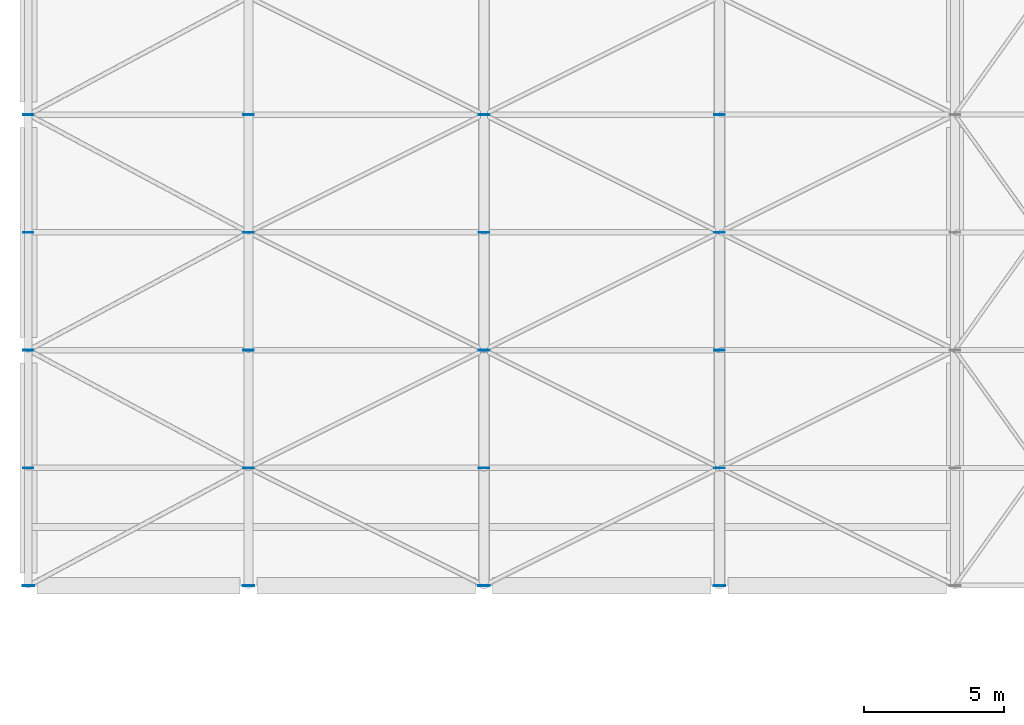
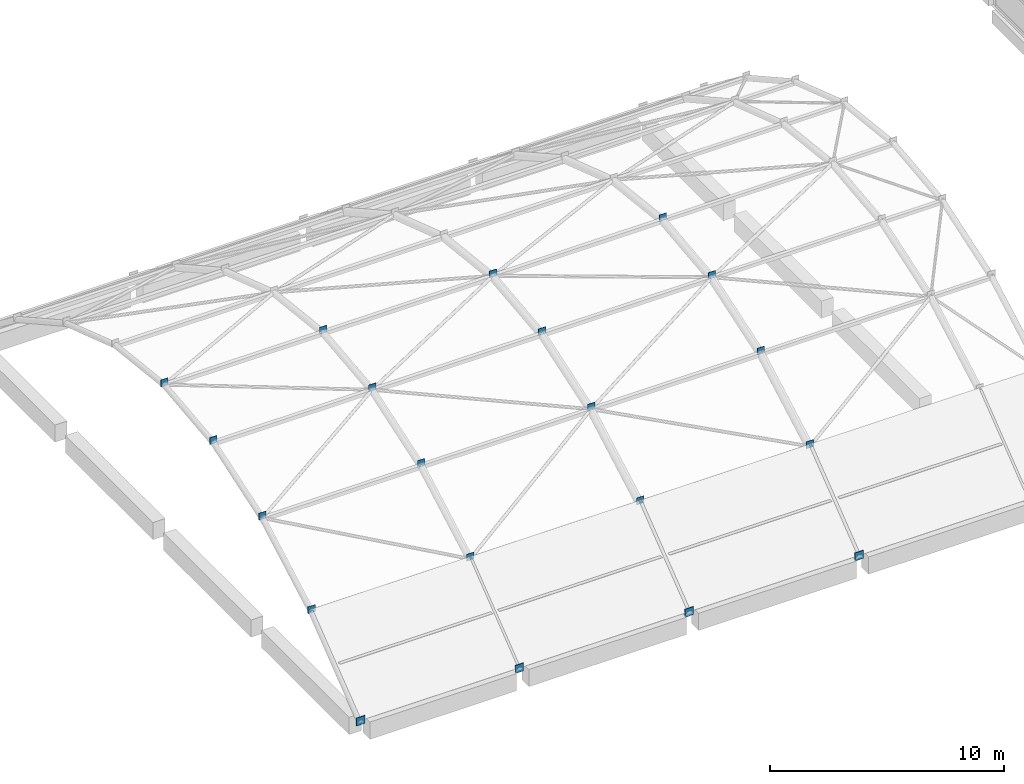
# One storey, part 24 of 38: 20 plates.
"""IFC4 building model written with IfcOpenShell, lengths in metres."""

from ifc_helpers import new_model, si_unit, direction, frame, origin, origin_2d, place, context, subcontext, project, spatial, rectangle, extrude, material, layer, layer_set, type_object, element, save


model = new_model("IFC4")

# Units and contexts
model_context = context("Model", 3, precision=1e-05, world=origin(), true_north=direction((0.0, 1.0)))
body_context = subcontext(model_context, "Body", "Model", "MODEL_VIEW")
ifc_project = project(units=[si_unit("LENGTHUNIT", "METRE"), si_unit("AREAUNIT", "SQUARE_METRE"), si_unit("VOLUMEUNIT", "CUBIC_METRE"), si_unit("PLANEANGLEUNIT", "RADIAN"), si_unit("MASSUNIT", "GRAM", prefix="KILO")], contexts=[model_context])

# Site, building, storey
site_placement = place(None, origin())
site = spatial("IfcSite", under=ifc_project, at=site_placement, CompositionType="ELEMENT")
building_placement = place(site_placement, origin())
building = spatial("IfcBuilding", under=site, at=building_placement, Name="Brinegate Botanical Conservatory", CompositionType="ELEMENT")
storey_placement = place(building_placement, frame((0.0, 0.0, 10.199951171875)))
storey = spatial("IfcBuildingStorey", under=building, at=storey_placement, Name="L03", CompositionType="ELEMENT", Elevation=10.199951171875)

# Plates
ifc_material = material(Name="Welded node steel Q355GJ / S355", Category="steel")
ifc_layer_1 = layer(ifc_material, 0.028076171875, Name="Welded node steel Q355GJ / S355", Category="steel")
ifc_layer_set_1 = layer_set([ifc_layer_1], Name="Welded node steel Q355GJ / S355")
plate_type_1 = type_object("IfcPlateType", Name="Plate_CSN-01", PredefinedType="USERDEFINED", material=ifc_layer_set_1)
for number, where, z_axis, x_axis, name in (
    (1, (0.550048828125, 78.39990234375, -0.2099609375), (0.0, 0.0, 1.0), (1.0, 0.0, 0.0), "Gridshell welded hub node CSN-01 WP-001"),
    (2, (8.39990234375, 78.39990234375, -0.2099609375), (0.0, 0.0, 1.0), (1.0, 0.0, 0.0), "Gridshell welded hub node CSN-01 WP-010"),
    (3, (16.800048828125, 78.39990234375, -0.2099609375), (0.0, 0.0, 1.0), (1.0, 0.0, 0.0), "Gridshell welded hub node CSN-01 WP-019"),
    (4, (25.199951171875, 78.39990234375, -0.2099609375), (0.0, 0.0, 1.0), (1.0, 0.0, 0.0), "Gridshell welded hub node CSN-01 WP-028"),
):
    element("IfcPlate", number, at=place(storey_placement, frame(where, z_axis=z_axis, x_axis=x_axis)), inside=storey, type_object=plate_type_1, Name=name, ObjectType="GUSSET PLATE", PredefinedType="USERDEFINED", context=body_context, shape_type="SweptSolid", body=[
        extrude(rectangle(XDim=0.419921875, YDim=0.028076171875, at=origin_2d()), origin(), (0.0, 0.0, 1.0), 0.419921875),
    ])
ifc_layer_2 = layer(ifc_material, 0.02392578125, Name="Welded node steel Q355GJ / S355", Category="steel")
ifc_layer_set_2 = layer_set([ifc_layer_2], Name="Welded node steel Q355GJ / S355")
plate_type_2 = type_object("IfcPlateType", Name="Plate_WSN-01", PredefinedType="USERDEFINED", material=ifc_layer_set_2)
for number, where, z_axis, x_axis, name in (
    (5, (0.550048828125, 82.60009765625, 3.10107421875), (0.0, 0.0, 1.0), (1.0, 0.0, 0.0), "Gridshell welded hub node WSN-01 WP-002"),
    (6, (0.550048828125, 86.800048828125, 5.44482421875), (0.0, 0.0, 1.0), (1.0, 0.0, 0.0), "Gridshell welded hub node WSN-01 WP-003"),
    (7, (0.550048828125, 91.0, 6.85107421875), (0.0, 0.0, 1.0), (1.0, 0.0, 0.0), "Gridshell welded hub node WSN-01 WP-004"),
    (8, (0.550048828125, 95.199951171875, 7.31982421875), (0.0, 0.0, 1.0), (1.0, 0.0, 0.0), "Gridshell welded hub node WSN-01 WP-005"),
    (9, (8.39990234375, 82.60009765625, 3.10107421875), (0.0, 0.0, 1.0), (1.0, 0.0, 0.0), "Gridshell welded hub node WSN-01 WP-011"),
    (10, (8.39990234375, 86.800048828125, 5.44482421875), (0.0, 0.0, 1.0), (1.0, 0.0, 0.0), "Gridshell welded hub node WSN-01 WP-012"),
    (11, (8.39990234375, 91.0, 6.85107421875), (0.0, 0.0, 1.0), (1.0, 0.0, 0.0), "Gridshell welded hub node WSN-01 WP-013"),
    (12, (8.39990234375, 95.199951171875, 7.31982421875), (0.0, 0.0, 1.0), (1.0, 0.0, 0.0), "Gridshell welded hub node WSN-01 WP-014"),
    (13, (16.800048828125, 82.60009765625, 3.10107421875), (0.0, 0.0, 1.0), (1.0, 0.0, 0.0), "Gridshell welded hub node WSN-01 WP-020"),
    (14, (16.800048828125, 86.800048828125, 5.44482421875), (0.0, 0.0, 1.0), (1.0, 0.0, 0.0), "Gridshell welded hub node WSN-01 WP-021"),
    (15, (16.800048828125, 91.0, 6.85107421875), (0.0, 0.0, 1.0), (1.0, 0.0, 0.0), "Gridshell welded hub node WSN-01 WP-022"),
    (16, (16.800048828125, 95.199951171875, 7.31982421875), (0.0, 0.0, 1.0), (1.0, 0.0, 0.0), "Gridshell welded hub node WSN-01 WP-023"),
    (17, (25.199951171875, 82.60009765625, 3.10107421875), (0.0, 0.0, 1.0), (1.0, 0.0, 0.0), "Gridshell welded hub node WSN-01 WP-029"),
    (18, (25.199951171875, 86.800048828125, 5.44482421875), (0.0, 0.0, 1.0), (1.0, 0.0, 0.0), "Gridshell welded hub node WSN-01 WP-030"),
    (19, (25.199951171875, 91.0, 6.85107421875), (0.0, 0.0, 1.0), (1.0, 0.0, 0.0), "Gridshell welded hub node WSN-01 WP-031"),
    (20, (25.199951171875, 95.199951171875, 7.31982421875), (0.0, 0.0, 1.0), (1.0, 0.0, 0.0), "Gridshell welded hub node WSN-01 WP-032"),
):
    element("IfcPlate", number, at=place(storey_placement, frame(where, z_axis=z_axis, x_axis=x_axis)), inside=storey, type_object=plate_type_2, Name=name, ObjectType="GUSSET PLATE", PredefinedType="USERDEFINED", context=body_context, shape_type="SweptSolid", body=[
        extrude(rectangle(XDim=0.360107421875, YDim=0.02392578125, at=origin_2d()), origin(), (0.0, 0.0, 1.0), 0.360107421875),
    ])

save(model, "model.ifc")
